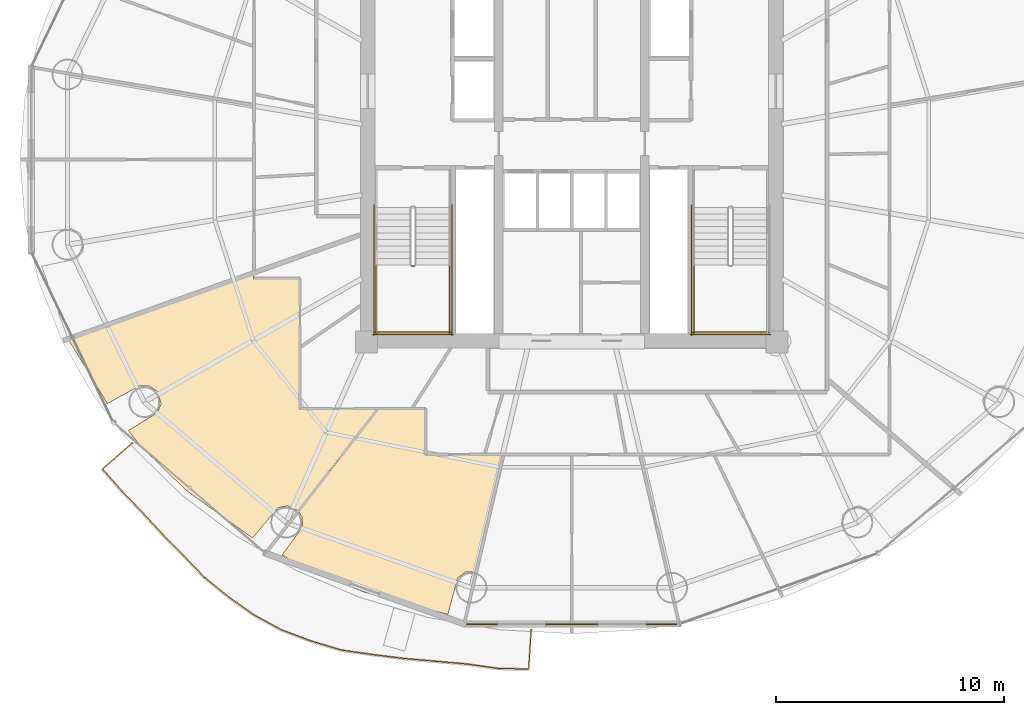
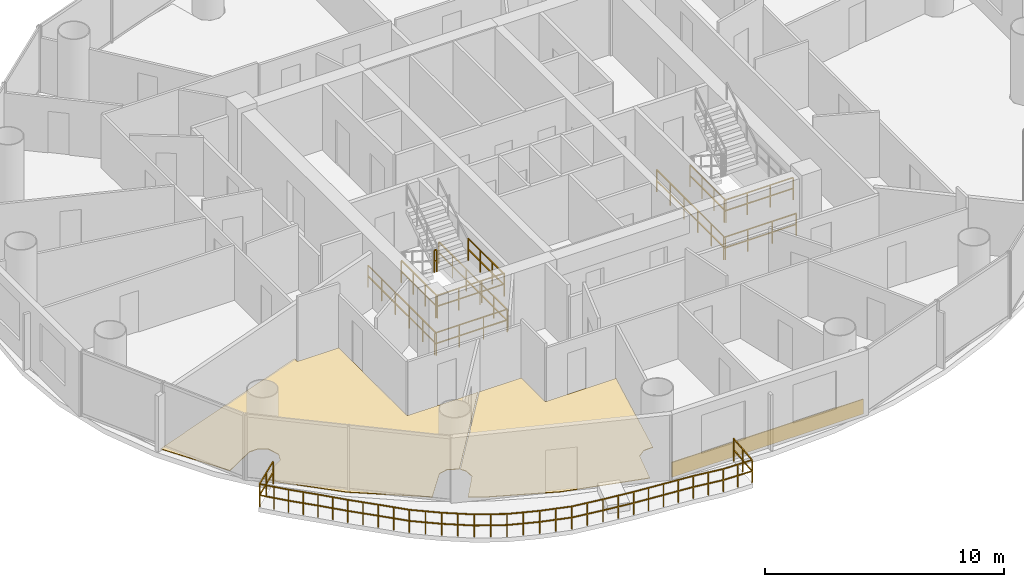
# One storey, part 25 of 27: 12 railings, 3 coverings.
"""IFC4 building model written with IfcOpenShell, lengths in metres."""

from ifc_helpers import new_model, si_unit, direction, frame, origin, origin_2d, place, context, subcontext, project, spatial, polyline, rectangle, outline, extrude, source, transform, mapped, material, layer, layer_set, type_object, element, save


model = new_model("IFC4")

# Units and contexts
model_context = context("Model", 3, precision=1e-05, world=origin(), true_north=direction((-0.2419218956, 0.970295726276)))
body_context = subcontext(model_context, "Body", "Model", "MODEL_VIEW")
ifc_project = project(units=[si_unit("LENGTHUNIT", "METRE"), si_unit("AREAUNIT", "SQUARE_METRE"), si_unit("VOLUMEUNIT", "CUBIC_METRE"), si_unit("PLANEANGLEUNIT", "RADIAN"), si_unit("MASSUNIT", "GRAM", prefix="KILO")], contexts=[model_context])

# Site, building, storey
site_placement = place(None, origin())
site = spatial("IfcSite", under=ifc_project, at=site_placement, CompositionType="ELEMENT")
building_placement = place(site_placement, origin())
building = spatial("IfcBuilding", under=site, at=building_placement, Name="Cobrevalo Terracotta Tower", CompositionType="ELEMENT")
storey_placement = place(building_placement, frame((0.0, 0.0, 149.800048828125)))
storey = spatial("IfcBuildingStorey", under=building, at=storey_placement, Name="L39", CompositionType="ELEMENT", Elevation=149.800048828125)

# Railing
ifc_material_1 = material(Name="Laminated structural glass and stainless steel", Category="steel")
railing_type_1 = type_object("IfcRailingType", Name="Balcony lobe structural glass & terracotta-cap balustrade 1180 mm", PredefinedType="BALUSTRADE", material=ifc_material_1)
railing_1_placement = place(storey_placement, frame((18.728759765625, 14.37646484375, 0.0)))
element("IfcRailing", 1, at=railing_1_placement, inside=storey, type_object=railing_type_1, Name="L39 spiralling balcony lobe balustrade 2", PredefinedType="BALUSTRADE", context=body_context, shape_type="SweptSolid", body=[
    extrude(rectangle(XDim=0.048095703125, YDim=0.048095703125, at=origin_2d()), frame((0.0, 0.0, 1.15576171875), z_axis=(-0.753726593501, -0.657188117855, 0.0), x_axis=(0.657188117855, -0.753726593501, 0.0)), (0.0, 0.0, 1.0), 1.74755859375),
    extrude(rectangle(XDim=0.048095703125, YDim=0.048095703125, at=origin_2d()), frame((0.0, 0.0, 0.58984375), z_axis=(-0.753726593501, -0.657188117855, 0.0), x_axis=(0.657188117855, -0.753726593501, 0.0)), (0.0, 0.0, 1.0), 1.74755859375),
    extrude(rectangle(XDim=0.048095703125, YDim=0.048095703125, at=origin_2d()), frame((-1.317138671875, -1.1484375, 1.15576171875), z_axis=(0.662045415141, -0.749463720463, 0.0), x_axis=(0.749463720463, 0.662045415141, 0.0)), (0.0, 0.0, 1.0), 1.2763671875),
    extrude(rectangle(XDim=0.048095703125, YDim=0.048095703125, at=origin_2d()), frame((-1.317138671875, -1.1484375, 0.58984375), z_axis=(0.662045415141, -0.749463720463, 0.0), x_axis=(0.749463720463, 0.662045415141, 0.0)), (0.0, 0.0, 1.0), 1.2763671875),
    extrude(rectangle(XDim=0.048095703125, YDim=0.048095703125, at=origin_2d()), frame((-0.47216796875, -2.10498046875, 1.15576171875), z_axis=(0.692808657241, -0.721121463036, 0.0), x_axis=(0.721121463036, 0.692808657241, 0.0)), (0.0, 0.0, 1.0), 1.284912109375),
    extrude(rectangle(XDim=0.048095703125, YDim=0.048095703125, at=origin_2d()), frame((-0.47216796875, -2.10498046875, 0.58984375), z_axis=(0.692808657241, -0.721121463036, 0.0), x_axis=(0.721121463036, 0.692808657241, 0.0)), (0.0, 0.0, 1.0), 1.284912109375),
    extrude(rectangle(XDim=0.048095703125, YDim=0.048095703125, at=origin_2d()), frame((0.41796875, -3.031494140625, 1.15576171875), z_axis=(0.677491799755, -0.735530326543, 0.0), x_axis=(0.735530326543, 0.677491799755, 0.0)), (0.0, 0.0, 1.0), 1.2998046875),
    extrude(rectangle(XDim=0.048095703125, YDim=0.048095703125, at=origin_2d()), frame((0.41796875, -3.031494140625, 0.58984375), z_axis=(0.677491799755, -0.735530326543, 0.0), x_axis=(0.735530326543, 0.677491799755, 0.0)), (0.0, 0.0, 1.0), 1.2998046875),
    extrude(rectangle(XDim=0.048095703125, YDim=0.048095703125, at=origin_2d()), frame((1.298583984375, -3.987548828125, 1.15576171875), z_axis=(0.701382994746, -0.712784606092, 0.0), x_axis=(0.712784606092, 0.701382994746, 0.0)), (0.0, 0.0, 1.0), 1.32763671875),
    extrude(rectangle(XDim=0.048095703125, YDim=0.048095703125, at=origin_2d()), frame((1.298583984375, -3.987548828125, 0.58984375), z_axis=(0.701382994746, -0.712784606092, 0.0), x_axis=(0.712784606092, 0.701382994746, 0.0)), (0.0, 0.0, 1.0), 1.32763671875),
    extrude(rectangle(XDim=0.048095703125, YDim=0.048095703125, at=origin_2d()), frame((2.229736328125, -4.933837890625, 1.15576171875), z_axis=(0.693589524668, -0.720370440309, 0.0), x_axis=(0.720370440309, 0.693589524668, 0.0)), (0.0, 0.0, 1.0), 1.34912109375),
    extrude(rectangle(XDim=0.048095703125, YDim=0.048095703125, at=origin_2d()), frame((2.229736328125, -4.933837890625, 0.58984375), z_axis=(0.693589524668, -0.720370440309, 0.0), x_axis=(0.720370440309, 0.693589524668, 0.0)), (0.0, 0.0, 1.0), 1.34912109375),
    extrude(rectangle(XDim=0.048095703125, YDim=0.048095703125, at=origin_2d()), frame((3.16552734375, -5.90576171875, 1.15576171875), z_axis=(0.777411816923, -0.628991945027, 0.0), x_axis=(0.628991945027, 0.777411816923, 0.0)), (0.0, 0.0, 1.0), 1.362060546875),
    extrude(rectangle(XDim=0.048095703125, YDim=0.048095703125, at=origin_2d()), frame((3.16552734375, -5.90576171875, 0.58984375), z_axis=(0.777411816923, -0.628991945027, 0.0), x_axis=(0.628991945027, 0.777411816923, 0.0)), (0.0, 0.0, 1.0), 1.362060546875),
    extrude(rectangle(XDim=0.048095703125, YDim=0.048095703125, at=origin_2d()), frame((4.224365234375, -6.762451171875, 1.15576171875), z_axis=(0.81663686651, -0.577151824269, 0.0), x_axis=(0.577151824269, 0.81663686651, 0.0)), (0.0, 0.0, 1.0), 1.3701171875),
    extrude(rectangle(XDim=0.048095703125, YDim=0.048095703125, at=origin_2d()), frame((4.224365234375, -6.762451171875, 0.58984375), z_axis=(0.81663686651, -0.577151824269, 0.0), x_axis=(0.577151824269, 0.81663686651, 0.0)), (0.0, 0.0, 1.0), 1.3701171875),
    extrude(rectangle(XDim=0.048095703125, YDim=0.048095703125, at=origin_2d()), frame((5.34326171875, -7.55322265625, 1.15576171875), z_axis=(0.87921123953, -0.476432152866, 0.0), x_axis=(0.476432152866, 0.87921123953, 0.0)), (0.0, 0.0, 1.0), 1.372314453125),
    extrude(rectangle(XDim=0.048095703125, YDim=0.048095703125, at=origin_2d()), frame((5.34326171875, -7.55322265625, 0.58984375), z_axis=(0.87921123953, -0.476432152866, 0.0), x_axis=(0.476432152866, 0.87921123953, 0.0)), (0.0, 0.0, 1.0), 1.372314453125),
    extrude(rectangle(XDim=0.048095703125, YDim=0.048095703125, at=origin_2d()), frame((6.5498046875, -8.20703125, 1.15576171875), z_axis=(0.936524620005, -0.350601819911, 0.0), x_axis=(0.350601819911, 0.936524620005, 0.0)), (0.0, 0.0, 1.0), 1.385009765625),
    extrude(rectangle(XDim=0.048095703125, YDim=0.048095703125, at=origin_2d()), frame((6.5498046875, -8.20703125, 0.58984375), z_axis=(0.936524620005, -0.350601819911, 0.0), x_axis=(0.350601819911, 0.936524620005, 0.0)), (0.0, 0.0, 1.0), 1.385009765625),
    extrude(rectangle(XDim=0.048095703125, YDim=0.048095703125, at=origin_2d()), frame((7.846923828125, -8.692626953125, 1.15576171875), z_axis=(0.958093703923, -0.286454978144, 0.0), x_axis=(0.286454978144, 0.958093703923, 0.0)), (0.0, 0.0, 1.0), 1.3798828125),
    extrude(rectangle(XDim=0.048095703125, YDim=0.048095703125, at=origin_2d()), frame((7.846923828125, -8.692626953125, 0.58984375), z_axis=(0.958093703923, -0.286454978144, 0.0), x_axis=(0.286454978144, 0.958093703923, 0.0)), (0.0, 0.0, 1.0), 1.3798828125),
    extrude(rectangle(XDim=0.048095703125, YDim=0.048095703125, at=origin_2d()), frame((9.1689453125, -9.087890625, 1.15576171875), z_axis=(0.989869296467, -0.141981604134, 0.0), x_axis=(0.141981604134, 0.989869296467, 0.0)), (0.0, 0.0, 1.0), 1.403076171875),
    extrude(rectangle(XDim=0.048095703125, YDim=0.048095703125, at=origin_2d()), frame((9.1689453125, -9.087890625, 0.58984375), z_axis=(0.989869296467, -0.141981604134, 0.0), x_axis=(0.141981604134, 0.989869296467, 0.0)), (0.0, 0.0, 1.0), 1.403076171875),
    extrude(rectangle(XDim=0.048095703125, YDim=0.048095703125, at=origin_2d()), frame((10.557861328125, -9.287109375, 1.15576171875), z_axis=(0.992288707548, -0.123948057153, 0.0), x_axis=(0.123948057153, 0.992288707548, 0.0)), (0.0, 0.0, 1.0), 1.38671875),
    extrude(rectangle(XDim=0.048095703125, YDim=0.048095703125, at=origin_2d()), frame((10.557861328125, -9.287109375, 0.58984375), z_axis=(0.992288707548, -0.123948057153, 0.0), x_axis=(0.123948057153, 0.992288707548, 0.0)), (0.0, 0.0, 1.0), 1.38671875),
    extrude(rectangle(XDim=0.048095703125, YDim=0.048095703125, at=origin_2d()), frame((11.933837890625, -9.458984375, 1.15576171875), z_axis=(0.996193909795, -0.087164752555, 0.0), x_axis=(0.087164752555, 0.996193909795, 0.0)), (0.0, 0.0, 1.0), 1.3779296875),
    extrude(rectangle(XDim=0.048095703125, YDim=0.048095703125, at=origin_2d()), frame((11.933837890625, -9.458984375, 0.58984375), z_axis=(0.996193909795, -0.087164752555, 0.0), x_axis=(0.087164752555, 0.996193909795, 0.0)), (0.0, 0.0, 1.0), 1.3779296875),
    extrude(rectangle(XDim=0.048095703125, YDim=0.048095703125, at=origin_2d()), frame((13.306640625, -9.5791015625, 1.15576171875), z_axis=(0.996212454728, -0.086952544788, 0.0), x_axis=(0.086952544788, 0.996212454728, 0.0)), (0.0, 0.0, 1.0), 1.3701171875),
    extrude(rectangle(XDim=0.048095703125, YDim=0.048095703125, at=origin_2d()), frame((13.306640625, -9.5791015625, 0.58984375), z_axis=(0.996212454728, -0.086952544788, 0.0), x_axis=(0.086952544788, 0.996212454728, 0.0)), (0.0, 0.0, 1.0), 1.3701171875),
    extrude(rectangle(XDim=0.048095703125, YDim=0.048095703125, at=origin_2d()), frame((14.671630859375, -9.6982421875, 1.15576171875), z_axis=(0.990053309455, -0.14069273058, 0.0), x_axis=(0.14069273058, 0.990053309455, 0.0)), (0.0, 0.0, 1.0), 1.3603515625),
    extrude(rectangle(XDim=0.048095703125, YDim=0.048095703125, at=origin_2d()), frame((14.671630859375, -9.6982421875, 0.58984375), z_axis=(0.990053309455, -0.14069273058, 0.0), x_axis=(0.14069273058, 0.990053309455, 0.0)), (0.0, 0.0, 1.0), 1.3603515625),
    extrude(rectangle(XDim=0.048095703125, YDim=0.048095703125, at=origin_2d()), frame((16.0185546875, -9.8896484375, 1.15576171875), z_axis=(0.999709238111, -0.024113051125, 0.0), x_axis=(0.024113051125, 0.999709238111, 0.0)), (0.0, 0.0, 1.0), 1.366943359375),
    extrude(rectangle(XDim=0.048095703125, YDim=0.048095703125, at=origin_2d()), frame((16.0185546875, -9.8896484375, 0.58984375), z_axis=(0.999709238111, -0.024113051125, 0.0), x_axis=(0.024113051125, 0.999709238111, 0.0)), (0.0, 0.0, 1.0), 1.366943359375),
    extrude(rectangle(XDim=0.048095703125, YDim=0.048095703125, at=origin_2d()), frame((17.385009765625, -9.922607421875, 1.15576171875), z_axis=(0.063566346946, 0.997977614747, 0.0), x_axis=(-0.997977614747, 0.063566346946, 0.0)), (0.0, 0.0, 1.0), 1.73974609375),
    extrude(rectangle(XDim=0.048095703125, YDim=0.048095703125, at=origin_2d()), frame((17.385009765625, -9.922607421875, 0.58984375), z_axis=(0.063566346946, 0.997977614747, 0.0), x_axis=(-0.997977614747, 0.063566346946, 0.0)), (0.0, 0.0, 1.0), 1.73974609375),
    extrude(rectangle(XDim=0.0419921875, YDim=0.0419921875, at=origin_2d()), origin(), (0.0, 0.0, 1.0), 1.1318359375),
    extrude(rectangle(XDim=0.0419921875, YDim=0.0419921875, at=origin_2d()), frame((-0.65869140625, -0.57421875, 0.0)), (0.0, 0.0, 1.0), 1.1318359375),
    extrude(rectangle(XDim=0.0419921875, YDim=0.0419921875, at=origin_2d()), frame((-1.317138671875, -1.1484375, 0.0)), (0.0, 0.0, 1.0), 1.1318359375),
    extrude(rectangle(XDim=0.0419921875, YDim=0.0419921875, at=origin_2d()), frame((-0.89453125, -1.626708984375, 0.0)), (0.0, 0.0, 1.0), 1.1318359375),
    extrude(rectangle(XDim=0.0419921875, YDim=0.0419921875, at=origin_2d()), frame((-0.47216796875, -2.10498046875, 0.0)), (0.0, 0.0, 1.0), 1.1318359375),
    extrude(rectangle(XDim=0.0419921875, YDim=0.0419921875, at=origin_2d()), frame((-0.027099609375, -2.568359375, 0.0)), (0.0, 0.0, 1.0), 1.1318359375),
    extrude(rectangle(XDim=0.0419921875, YDim=0.0419921875, at=origin_2d()), frame((0.41796875, -3.031494140625, 0.0)), (0.0, 0.0, 1.0), 1.1318359375),
    extrude(rectangle(XDim=0.0419921875, YDim=0.0419921875, at=origin_2d()), frame((0.8583984375, -3.509521484375, 0.0)), (0.0, 0.0, 1.0), 1.1318359375),
    extrude(rectangle(XDim=0.0419921875, YDim=0.0419921875, at=origin_2d()), frame((1.298583984375, -3.987548828125, 0.0)), (0.0, 0.0, 1.0), 1.1318359375),
    extrude(rectangle(XDim=0.0419921875, YDim=0.0419921875, at=origin_2d()), frame((1.76416015625, -4.460693359375, 0.0)), (0.0, 0.0, 1.0), 1.1318359375),
    extrude(rectangle(XDim=0.0419921875, YDim=0.0419921875, at=origin_2d()), frame((2.229736328125, -4.933837890625, 0.0)), (0.0, 0.0, 1.0), 1.1318359375),
    extrude(rectangle(XDim=0.0419921875, YDim=0.0419921875, at=origin_2d()), frame((2.69775390625, -5.419921875, 0.0)), (0.0, 0.0, 1.0), 1.1318359375),
    extrude(rectangle(XDim=0.0419921875, YDim=0.0419921875, at=origin_2d()), frame((3.16552734375, -5.90576171875, 0.0)), (0.0, 0.0, 1.0), 1.1318359375),
    extrude(rectangle(XDim=0.0419921875, YDim=0.0419921875, at=origin_2d()), frame((3.69482421875, -6.333984375, 0.0)), (0.0, 0.0, 1.0), 1.1318359375),
    extrude(rectangle(XDim=0.0419921875, YDim=0.0419921875, at=origin_2d()), frame((4.224365234375, -6.762451171875, 0.0)), (0.0, 0.0, 1.0), 1.1318359375),
    extrude(rectangle(XDim=0.0419921875, YDim=0.0419921875, at=origin_2d()), frame((4.78369140625, -7.15771484375, 0.0)), (0.0, 0.0, 1.0), 1.1318359375),
    extrude(rectangle(XDim=0.0419921875, YDim=0.0419921875, at=origin_2d()), frame((5.34326171875, -7.55322265625, 0.0)), (0.0, 0.0, 1.0), 1.1318359375),
    extrude(rectangle(XDim=0.0419921875, YDim=0.0419921875, at=origin_2d()), frame((5.946533203125, -7.880126953125, 0.0)), (0.0, 0.0, 1.0), 1.1318359375),
    extrude(rectangle(XDim=0.0419921875, YDim=0.0419921875, at=origin_2d()), frame((6.5498046875, -8.20703125, 0.0)), (0.0, 0.0, 1.0), 1.1318359375),
    extrude(rectangle(XDim=0.0419921875, YDim=0.0419921875, at=origin_2d()), frame((7.1982421875, -8.44970703125, 0.0)), (0.0, 0.0, 1.0), 1.1318359375),
    extrude(rectangle(XDim=0.0419921875, YDim=0.0419921875, at=origin_2d()), frame((7.846923828125, -8.692626953125, 0.0)), (0.0, 0.0, 1.0), 1.1318359375),
    extrude(rectangle(XDim=0.0419921875, YDim=0.0419921875, at=origin_2d()), frame((8.5078125, -8.89013671875, 0.0)), (0.0, 0.0, 1.0), 1.1318359375),
    extrude(rectangle(XDim=0.0419921875, YDim=0.0419921875, at=origin_2d()), frame((9.1689453125, -9.087890625, 0.0)), (0.0, 0.0, 1.0), 1.1318359375),
    extrude(rectangle(XDim=0.0419921875, YDim=0.0419921875, at=origin_2d()), frame((9.86328125, -9.1875, 0.0)), (0.0, 0.0, 1.0), 1.1318359375),
    extrude(rectangle(XDim=0.0419921875, YDim=0.0419921875, at=origin_2d()), frame((10.557861328125, -9.287109375, 0.0)), (0.0, 0.0, 1.0), 1.1318359375),
    extrude(rectangle(XDim=0.0419921875, YDim=0.0419921875, at=origin_2d()), frame((11.245849609375, -9.373046875, 0.0)), (0.0, 0.0, 1.0), 1.1318359375),
    extrude(rectangle(XDim=0.0419921875, YDim=0.0419921875, at=origin_2d()), frame((11.933837890625, -9.458984375, 0.0)), (0.0, 0.0, 1.0), 1.1318359375),
    extrude(rectangle(XDim=0.0419921875, YDim=0.0419921875, at=origin_2d()), frame((12.6201171875, -9.51904296875, 0.0)), (0.0, 0.0, 1.0), 1.1318359375),
    extrude(rectangle(XDim=0.0419921875, YDim=0.0419921875, at=origin_2d()), frame((13.306640625, -9.5791015625, 0.0)), (0.0, 0.0, 1.0), 1.1318359375),
    extrude(rectangle(XDim=0.0419921875, YDim=0.0419921875, at=origin_2d()), frame((13.9892578125, -9.638671875, 0.0)), (0.0, 0.0, 1.0), 1.1318359375),
    extrude(rectangle(XDim=0.0419921875, YDim=0.0419921875, at=origin_2d()), frame((14.671630859375, -9.6982421875, 0.0)), (0.0, 0.0, 1.0), 1.1318359375),
    extrude(rectangle(XDim=0.0419921875, YDim=0.0419921875, at=origin_2d()), frame((15.34521484375, -9.7939453125, 0.0)), (0.0, 0.0, 1.0), 1.1318359375),
    extrude(rectangle(XDim=0.0419921875, YDim=0.0419921875, at=origin_2d()), frame((16.0185546875, -9.8896484375, 0.0)), (0.0, 0.0, 1.0), 1.1318359375),
    extrude(rectangle(XDim=0.0419921875, YDim=0.0419921875, at=origin_2d()), frame((16.70166015625, -9.90625, 0.0)), (0.0, 0.0, 1.0), 1.1318359375),
    extrude(rectangle(XDim=0.0419921875, YDim=0.0419921875, at=origin_2d()), frame((17.385009765625, -9.922607421875, 0.0)), (0.0, 0.0, 1.0), 1.1318359375),
    extrude(rectangle(XDim=0.0419921875, YDim=0.0419921875, at=origin_2d()), frame((17.4404296875, -9.054443359375, 0.0)), (0.0, 0.0, 1.0), 1.1318359375),
    extrude(rectangle(XDim=0.0419921875, YDim=0.0419921875, at=origin_2d()), frame((17.49560546875, -8.186279296875, 0.0)), (0.0, 0.0, 1.0), 1.1318359375),
])

# Coverings
ifc_material_2 = material(Name="Engineered Brazilian hardwood flooring", Category="wood")
ifc_layer_1 = layer(ifc_material_2, 0.028076171875)
ifc_layer_set_1 = layer_set([ifc_layer_1], Name="Engineered Brazilian hardwood flooring")
covering_type_1 = type_object("IfcCoveringType", Name="Engineered Hardwood Suite Flooring 28", PredefinedType="FLOORING", material=ifc_layer_set_1)
covering_1_placement = place(storey_placement, origin())
element("IfcCovering", 2, at=covering_1_placement, inside=storey, type_object=covering_type_1, Name="Flat L39B Living and Dining Room floor finish", PredefinedType="FLOORING", context=body_context, shape_type="SweptSolid", body=[
    extrude(outline(polyline([(21.0849609375, 12.291259765625), (19.02197265625, 14.309326171875), (18.551513671875, 14.91357421875), (19.834228515625, 15.705810546875), (19.988525390625, 16.10693359375), (19.810302734375, 16.64453125), (19.447265625, 16.874267578125), (19.017822265625, 16.863525390625), (17.632568359375, 16.09375), (15.918212890625, 18.917236328125), (24.044921875, 21.810546875), (24.044921875, 21.570068359375), (26.054931640625, 21.570068359375), (26.054931640625, 15.85498046875), (29.466064453125, 15.85498046875), (25.997802734375, 11.3935546875), (25.529296875, 11.615234375), (25.109619140625, 11.522705078125), (23.99755859375, 10.2001953125), (21.0849609375, 12.291259765625)])), origin(), (0.0, 0.0, 1.0), 0.030029296875),
])
covering_2_placement = place(storey_placement, origin())
element("IfcCovering", 3, at=covering_2_placement, inside=storey, type_object=covering_type_1, Name="Flat L39B Master Bedroom floor finish", PredefinedType="FLOORING", context=body_context, shape_type="SweptSolid", body=[
    extrude(outline(polyline([(28.84521484375, 7.84228515625), (26.038818359375, 9.02978515625), (25.295166015625, 9.4560546875), (26.184326171875, 10.67724609375), (26.175537109375, 11.106689453125), (26.02490234375, 11.363525390625), (29.5166015625, 15.85498046875), (31.570068359375, 15.85498046875), (31.570068359375, 13.844970703125), (34.9814453125, 13.844970703125), (33.796630859375, 8.72607421875), (33.3408203125, 8.7109375), (32.99951171875, 8.44970703125), (32.567138671875, 6.849853515625), (28.84521484375, 7.84228515625)])), origin(), (0.0, 0.0, 1.0), 0.030029296875),
])

# Railings
ifc_material_3 = material(Name="Painted galvanized steel", Category="steel")
railing_type_2 = type_object("IfcRailingType", Name="Stair Well Guard Balustrade 1150", PredefinedType="GUARDRAIL", material=ifc_material_3)
railing_2_placement = place(storey_placement, frame((30.97509765625, 22.1298828125, 1.800048828125)))
element("IfcRailing", 4, at=railing_2_placement, inside=storey, type_object=railing_type_2, Name="L39 ST-1 stair guard 2", PredefinedType="GUARDRAIL", context=body_context, shape_type="SweptSolid", body=[
    extrude(rectangle(XDim=0.048095703125, YDim=0.048095703125, at=origin_2d()), frame((0.0, 0.0, 1.1259765625), z_axis=(1.0, 0.0, 0.0), x_axis=(0.0, 1.0, 0.0)), (0.0, 0.0, 1.0), 0.119873046875),
    extrude(rectangle(XDim=0.048095703125, YDim=0.048095703125, at=origin_2d()), frame((0.0, 0.0, 0.574951171875), z_axis=(1.0, 0.0, 0.0), x_axis=(0.0, 1.0, 0.0)), (0.0, 0.0, 1.0), 0.119873046875),
    extrude(rectangle(XDim=0.0419921875, YDim=0.0419921875, at=origin_2d()), origin(), (0.0, 0.0, 1.0), 1.101806640625),
    extrude(rectangle(XDim=0.0419921875, YDim=0.0419921875, at=origin_2d()), frame((0.119873046875, 0.0, 0.0)), (0.0, 0.0, 1.0), 1.101806640625),
])
for number, where, name in (
    (5, (29.425048828125, 22.179931640625, 1.800048828125), "L39 ST-1 stair guard 3"),
    (6, (32.64501953125, 22.179931640625, 1.800048828125), "L39 ST-1 stair guard 4"),
):
    element("IfcRailing", number, at=place(storey_placement, frame(where)), inside=storey, type_object=railing_type_2, Name=name, PredefinedType="GUARDRAIL", context=body_context, shape_type="SweptSolid", body=[
        extrude(rectangle(XDim=0.048095703125, YDim=0.048095703125, at=origin_2d()), frame((0.0, 0.0, 1.1259765625), z_axis=(0.0, -1.0, 0.0), x_axis=(1.0, 0.0, 0.0)), (0.0, 0.0, 1.0), 3.0048828125),
        extrude(rectangle(XDim=0.048095703125, YDim=0.048095703125, at=origin_2d()), frame((0.0, 0.0, 0.574951171875), z_axis=(0.0, -1.0, 0.0), x_axis=(1.0, 0.0, 0.0)), (0.0, 0.0, 1.0), 3.0048828125),
        extrude(rectangle(XDim=0.0419921875, YDim=0.0419921875, at=origin_2d()), origin(), (0.0, 0.0, 1.0), 1.101806640625),
        extrude(rectangle(XDim=0.0419921875, YDim=0.0419921875, at=origin_2d()), frame((0.0, -1.001708984375, 0.0)), (0.0, 0.0, 1.0), 1.101806640625),
        extrude(rectangle(XDim=0.0419921875, YDim=0.0419921875, at=origin_2d()), frame((0.0, -2.003173828125, 0.0)), (0.0, 0.0, 1.0), 1.101806640625),
        extrude(rectangle(XDim=0.0419921875, YDim=0.0419921875, at=origin_2d()), frame((0.0, -3.0048828125, 0.0)), (0.0, 0.0, 1.0), 1.101806640625),
    ])
railing_3_placement = place(storey_placement, frame((29.375, 19.22509765625, 1.800048828125)))
element("IfcRailing", 7, at=railing_3_placement, inside=storey, type_object=railing_type_2, Name="L39 ST-1 stair guard 5", PredefinedType="GUARDRAIL", context=body_context, shape_type="SweptSolid", body=[
    extrude(rectangle(XDim=0.048095703125, YDim=0.048095703125, at=origin_2d()), frame((0.0, 0.0, 1.1259765625), z_axis=(1.0, 0.0, 0.0), x_axis=(0.0, 1.0, 0.0)), (0.0, 0.0, 1.0), 3.320068359375),
    extrude(rectangle(XDim=0.048095703125, YDim=0.048095703125, at=origin_2d()), frame((0.0, 0.0, 0.574951171875), z_axis=(1.0, 0.0, 0.0), x_axis=(0.0, 1.0, 0.0)), (0.0, 0.0, 1.0), 3.320068359375),
    extrude(rectangle(XDim=0.0419921875, YDim=0.0419921875, at=origin_2d()), origin(), (0.0, 0.0, 1.0), 1.101806640625),
    extrude(rectangle(XDim=0.0419921875, YDim=0.0419921875, at=origin_2d()), frame((1.106689453125, 0.0, 0.0)), (0.0, 0.0, 1.0), 1.101806640625),
    extrude(rectangle(XDim=0.0419921875, YDim=0.0419921875, at=origin_2d()), frame((2.21337890625, 0.0, 0.0)), (0.0, 0.0, 1.0), 1.101806640625),
    extrude(rectangle(XDim=0.0419921875, YDim=0.0419921875, at=origin_2d()), frame((3.320068359375, 0.0, 0.0)), (0.0, 0.0, 1.0), 1.101806640625),
])
for number, where, name in (
    (8, (29.324951171875, 24.800048828125, 0.0), "L39 ST-1 stair guard 10"),
    (9, (32.7451171875, 24.800048828125, 0.0), "L39 ST-1 stair guard 11"),
):
    element("IfcRailing", number, at=place(storey_placement, frame(where)), inside=storey, type_object=railing_type_2, Name=name, PredefinedType="GUARDRAIL", context=body_context, shape_type="SweptSolid", body=[
        extrude(rectangle(XDim=0.048095703125, YDim=0.048095703125, at=origin_2d()), frame((0.0, 0.0, 1.1259765625), z_axis=(0.0, -1.0, 0.0), x_axis=(1.0, 0.0, 0.0)), (0.0, 0.0, 1.0), 5.72509765625),
        extrude(rectangle(XDim=0.048095703125, YDim=0.048095703125, at=origin_2d()), frame((0.0, 0.0, 0.574951171875), z_axis=(0.0, -1.0, 0.0), x_axis=(1.0, 0.0, 0.0)), (0.0, 0.0, 1.0), 5.72509765625),
        extrude(rectangle(XDim=0.0419921875, YDim=0.0419921875, at=origin_2d()), origin(), (0.0, 0.0, 1.0), 1.101806640625),
        extrude(rectangle(XDim=0.0419921875, YDim=0.0419921875, at=origin_2d()), frame((0.0, -1.14501953125, 0.0)), (0.0, 0.0, 1.0), 1.101806640625),
        extrude(rectangle(XDim=0.0419921875, YDim=0.0419921875, at=origin_2d()), frame((0.0, -2.2900390625, 0.0)), (0.0, 0.0, 1.0), 1.101806640625),
        extrude(rectangle(XDim=0.0419921875, YDim=0.0419921875, at=origin_2d()), frame((0.0, -3.43505859375, 0.0)), (0.0, 0.0, 1.0), 1.101806640625),
        extrude(rectangle(XDim=0.0419921875, YDim=0.0419921875, at=origin_2d()), frame((0.0, -4.580078125, 0.0)), (0.0, 0.0, 1.0), 1.101806640625),
        extrude(rectangle(XDim=0.0419921875, YDim=0.0419921875, at=origin_2d()), frame((0.0, -5.72509765625, 0.0)), (0.0, 0.0, 1.0), 1.101806640625),
    ])
railing_4_placement = place(storey_placement, frame((29.27490234375, 19.125, 0.0)))
element("IfcRailing", 10, at=railing_4_placement, inside=storey, type_object=railing_type_2, Name="L39 ST-1 stair guard 12", PredefinedType="GUARDRAIL", context=body_context, shape_type="SweptSolid", body=[
    extrude(rectangle(XDim=0.048095703125, YDim=0.048095703125, at=origin_2d()), frame((0.0, 0.0, 1.1259765625), z_axis=(1.0, 0.0, 0.0), x_axis=(0.0, 1.0, 0.0)), (0.0, 0.0, 1.0), 3.52001953125),
    extrude(rectangle(XDim=0.048095703125, YDim=0.048095703125, at=origin_2d()), frame((0.0, 0.0, 0.574951171875), z_axis=(1.0, 0.0, 0.0), x_axis=(0.0, 1.0, 0.0)), (0.0, 0.0, 1.0), 3.52001953125),
    extrude(rectangle(XDim=0.0419921875, YDim=0.0419921875, at=origin_2d()), origin(), (0.0, 0.0, 1.0), 1.101806640625),
    extrude(rectangle(XDim=0.0419921875, YDim=0.0419921875, at=origin_2d()), frame((1.17333984375, 0.0, 0.0)), (0.0, 0.0, 1.0), 1.101806640625),
    extrude(rectangle(XDim=0.0419921875, YDim=0.0419921875, at=origin_2d()), frame((2.3466796875, 0.0, 0.0)), (0.0, 0.0, 1.0), 1.101806640625),
    extrude(rectangle(XDim=0.0419921875, YDim=0.0419921875, at=origin_2d()), frame((3.52001953125, 0.0, 0.0)), (0.0, 0.0, 1.0), 1.101806640625),
])
railing_5_placement = place(storey_placement, frame((43.35498046875, 22.179931640625, 1.800048828125)))
element("IfcRailing", 11, at=railing_5_placement, inside=storey, type_object=railing_type_2, Name="L39 ST-2 stair guard 3", PredefinedType="GUARDRAIL", context=body_context, shape_type="SweptSolid", body=[
    extrude(rectangle(XDim=0.048095703125, YDim=0.048095703125, at=origin_2d()), frame((0.0, 0.0, 1.1259765625), z_axis=(0.0, -1.0, 0.0), x_axis=(1.0, 0.0, 0.0)), (0.0, 0.0, 1.0), 3.0048828125),
    extrude(rectangle(XDim=0.048095703125, YDim=0.048095703125, at=origin_2d()), frame((0.0, 0.0, 0.574951171875), z_axis=(0.0, -1.0, 0.0), x_axis=(1.0, 0.0, 0.0)), (0.0, 0.0, 1.0), 3.0048828125),
    extrude(rectangle(XDim=0.0419921875, YDim=0.0419921875, at=origin_2d()), origin(), (0.0, 0.0, 1.0), 1.101806640625),
    extrude(rectangle(XDim=0.0419921875, YDim=0.0419921875, at=origin_2d()), frame((0.0, -1.001708984375, 0.0)), (0.0, 0.0, 1.0), 1.101806640625),
    extrude(rectangle(XDim=0.0419921875, YDim=0.0419921875, at=origin_2d()), frame((0.0, -2.003173828125, 0.0)), (0.0, 0.0, 1.0), 1.101806640625),
    extrude(rectangle(XDim=0.0419921875, YDim=0.0419921875, at=origin_2d()), frame((0.0, -3.0048828125, 0.0)), (0.0, 0.0, 1.0), 1.101806640625),
])
railing_6_placement = place(storey_placement, frame((43.304931640625, 19.22509765625, 1.800048828125)))
element("IfcRailing", 12, at=railing_6_placement, inside=storey, type_object=railing_type_2, Name="L39 ST-2 stair guard 5", PredefinedType="GUARDRAIL", context=body_context, shape_type="SweptSolid", body=[
    extrude(rectangle(XDim=0.048095703125, YDim=0.048095703125, at=origin_2d()), frame((0.0, 0.0, 1.1259765625), z_axis=(1.0, 0.0, 0.0), x_axis=(0.0, 1.0, 0.0)), (0.0, 0.0, 1.0), 3.320068359375),
    extrude(rectangle(XDim=0.048095703125, YDim=0.048095703125, at=origin_2d()), frame((0.0, 0.0, 0.574951171875), z_axis=(1.0, 0.0, 0.0), x_axis=(0.0, 1.0, 0.0)), (0.0, 0.0, 1.0), 3.320068359375),
    extrude(rectangle(XDim=0.0419921875, YDim=0.0419921875, at=origin_2d()), origin(), (0.0, 0.0, 1.0), 1.101806640625),
    extrude(rectangle(XDim=0.0419921875, YDim=0.0419921875, at=origin_2d()), frame((1.106689453125, 0.0, 0.0)), (0.0, 0.0, 1.0), 1.101806640625),
    extrude(rectangle(XDim=0.0419921875, YDim=0.0419921875, at=origin_2d()), frame((2.21337890625, 0.0, 0.0)), (0.0, 0.0, 1.0), 1.101806640625),
    extrude(rectangle(XDim=0.0419921875, YDim=0.0419921875, at=origin_2d()), frame((3.320068359375, 0.0, 0.0)), (0.0, 0.0, 1.0), 1.101806640625),
])
railing_7_placement = place(storey_placement, frame((43.2548828125, 24.800048828125, 0.0)))
element("IfcRailing", 13, at=railing_7_placement, inside=storey, type_object=railing_type_2, Name="L39 ST-2 stair guard 10", PredefinedType="GUARDRAIL", context=body_context, shape_type="SweptSolid", body=[
    extrude(rectangle(XDim=0.048095703125, YDim=0.048095703125, at=origin_2d()), frame((0.0, 0.0, 1.1259765625), z_axis=(0.0, -1.0, 0.0), x_axis=(1.0, 0.0, 0.0)), (0.0, 0.0, 1.0), 5.72509765625),
    extrude(rectangle(XDim=0.048095703125, YDim=0.048095703125, at=origin_2d()), frame((0.0, 0.0, 0.574951171875), z_axis=(0.0, -1.0, 0.0), x_axis=(1.0, 0.0, 0.0)), (0.0, 0.0, 1.0), 5.72509765625),
    extrude(rectangle(XDim=0.0419921875, YDim=0.0419921875, at=origin_2d()), origin(), (0.0, 0.0, 1.0), 1.101806640625),
    extrude(rectangle(XDim=0.0419921875, YDim=0.0419921875, at=origin_2d()), frame((0.0, -1.14501953125, 0.0)), (0.0, 0.0, 1.0), 1.101806640625),
    extrude(rectangle(XDim=0.0419921875, YDim=0.0419921875, at=origin_2d()), frame((0.0, -2.2900390625, 0.0)), (0.0, 0.0, 1.0), 1.101806640625),
    extrude(rectangle(XDim=0.0419921875, YDim=0.0419921875, at=origin_2d()), frame((0.0, -3.43505859375, 0.0)), (0.0, 0.0, 1.0), 1.101806640625),
    extrude(rectangle(XDim=0.0419921875, YDim=0.0419921875, at=origin_2d()), frame((0.0, -4.580078125, 0.0)), (0.0, 0.0, 1.0), 1.101806640625),
    extrude(rectangle(XDim=0.0419921875, YDim=0.0419921875, at=origin_2d()), frame((0.0, -5.72509765625, 0.0)), (0.0, 0.0, 1.0), 1.101806640625),
])
railing_8_placement = place(storey_placement, frame((43.205078125, 19.125, 0.0)))
element("IfcRailing", 14, at=railing_8_placement, inside=storey, type_object=railing_type_2, Name="L39 ST-2 stair guard 12", PredefinedType="GUARDRAIL", context=body_context, shape_type="SweptSolid", body=[
    extrude(rectangle(XDim=0.048095703125, YDim=0.048095703125, at=origin_2d()), frame((0.0, 0.0, 1.1259765625), z_axis=(1.0, 0.0, 0.0), x_axis=(0.0, 1.0, 0.0)), (0.0, 0.0, 1.0), 3.52001953125),
    extrude(rectangle(XDim=0.048095703125, YDim=0.048095703125, at=origin_2d()), frame((0.0, 0.0, 0.574951171875), z_axis=(1.0, 0.0, 0.0), x_axis=(0.0, 1.0, 0.0)), (0.0, 0.0, 1.0), 3.52001953125),
    extrude(rectangle(XDim=0.0419921875, YDim=0.0419921875, at=origin_2d()), origin(), (0.0, 0.0, 1.0), 1.101806640625),
    extrude(rectangle(XDim=0.0419921875, YDim=0.0419921875, at=origin_2d()), frame((1.17333984375, 0.0, 0.0)), (0.0, 0.0, 1.0), 1.101806640625),
    extrude(rectangle(XDim=0.0419921875, YDim=0.0419921875, at=origin_2d()), frame((2.3466796875, 0.0, 0.0)), (0.0, 0.0, 1.0), 1.101806640625),
    extrude(rectangle(XDim=0.0419921875, YDim=0.0419921875, at=origin_2d()), frame((3.52001953125, 0.0, 0.0)), (0.0, 0.0, 1.0), 1.101806640625),
])

# Covering
ifc_material_4 = material(Name="Glazed terracotta facade cladding tile", Category="masonry")
ifc_layer_2 = layer(ifc_material_4, 0.044921875)
ifc_layer_set_2 = layer_set([ifc_layer_2], Name="Glazed terracotta facade cladding tile")
covering_type_2 = type_object("IfcCoveringType", Name="Architectural terracotta rainscreen spandrel cladding 45 mm", PredefinedType="CLADDING", material=ifc_layer_set_2)
shared_shape = source(origin(), body_context, "Body", "SweptSolid", [
    extrude(rectangle(XDim=9.230712890625, YDim=0.044921875, at=origin_2d()), origin(), (0.0, 0.0, 1.0), 0.760009765625),
])
covering_3_placement = place(storey_placement, frame((38.0, 6.42919921875, 0.0400390625), z_axis=(0.0, 0.0, 1.0), x_axis=(1.0, 0.0, 0.0)))
element("IfcCovering", 15, at=covering_3_placement, inside=storey, type_object=covering_type_2, Name="L39 terracotta spandrel cladding S12", PredefinedType="CLADDING", context=body_context, shape_type="MappedRepresentation", body=[
    mapped(shared_shape, transform((0.0, 0.0, 0.0), scale=1.0)),
])

save(model, "model.ifc")
